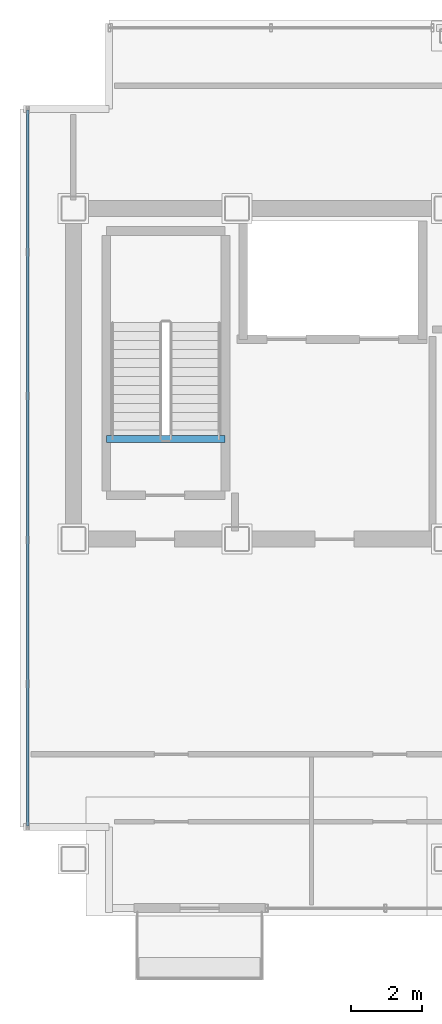
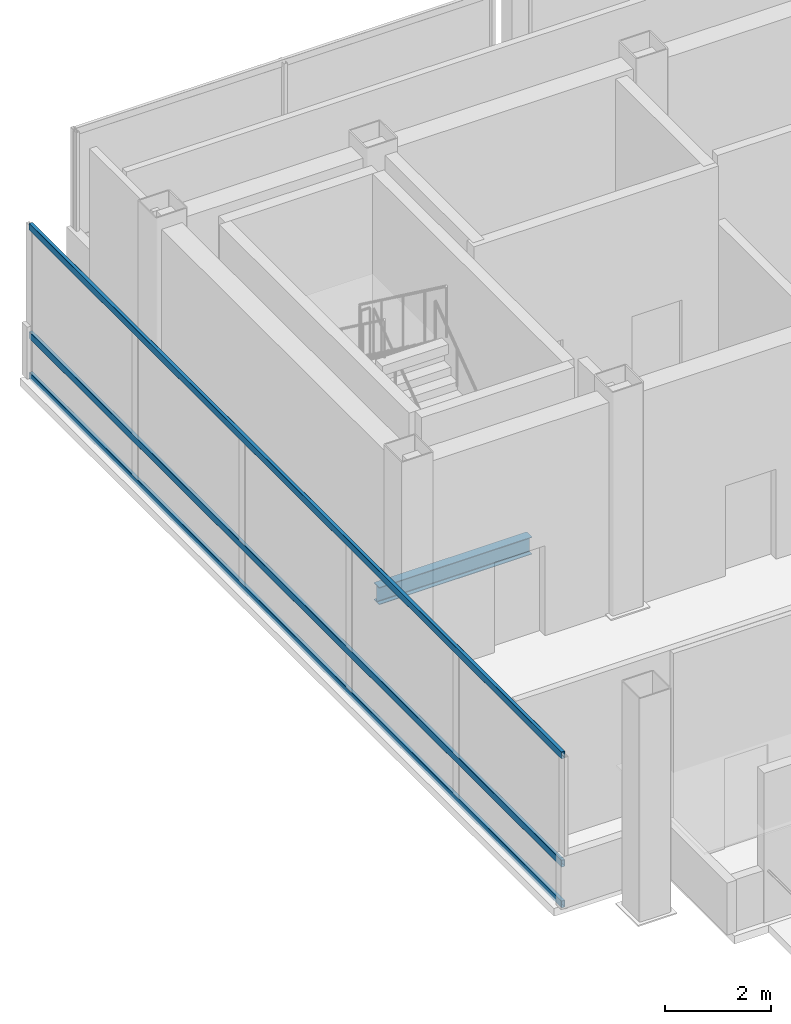
# One storey, part 5 of 17: 3 members, 1 beam, 1 element without a shape of its own.
"""IFC4 building model written with IfcOpenShell, lengths in metres."""

from ifc_helpers import new_model, si_unit, direction, frame, origin, origin_2d, place, context, subcontext, project, spatial, hollow_rectangle, i_section, extrude, material, material_profile, profile_set, type_object, element, aggregate, save


model = new_model("IFC4")

# Units and contexts
model_context = context("Model", 3, precision=1e-05, world=origin(), true_north=direction((0.0, 1.0)))
body_context = subcontext(model_context, "Body", "Model", "MODEL_VIEW")
ifc_project = project(units=[si_unit("LENGTHUNIT", "METRE"), si_unit("AREAUNIT", "SQUARE_METRE"), si_unit("VOLUMEUNIT", "CUBIC_METRE"), si_unit("PLANEANGLEUNIT", "RADIAN"), si_unit("MASSUNIT", "GRAM", prefix="KILO")], contexts=[model_context])

# Site, building, storey
site_placement = place(None, origin())
site = spatial("IfcSite", under=ifc_project, at=site_placement, CompositionType="ELEMENT")
building_placement = place(site_placement, origin())
building = spatial("IfcBuilding", under=site, at=building_placement, Name="Noeulbin Bourse Tower", CompositionType="ELEMENT")
storey_placement = place(building_placement, frame((0.0, 0.0, 300.800048828125)))
storey = spatial("IfcBuildingStorey", under=building, at=storey_placement, Name="L75", CompositionType="ELEMENT", Elevation=300.800048828125)

# Beam
ifc_material_1 = material(Name="Steel S355", Category="steel")
ifc_material_profile_1 = material_profile(ifc_material_1, i_section(OverallWidth=0.199951171875, OverallDepth=0.39990234375, WebThickness=0.008056640625, FlangeThickness=0.012939453125, FilletRadius=0.01611328125, at=origin_2d()), Name="H-400x200x8x13", Category="LoadBearing")
ifc_profile_set_1 = profile_set([ifc_material_profile_1], Name="Steel S355")
beam_type = type_object("IfcBeamType", Name="BM-SEC-400", PredefinedType="BEAM", material=ifc_profile_set_1)
beam_placement = place(storey_placement, frame((14.429931640625, 31.820068359375, -0.199951171875), z_axis=(1.0, 0.0, 0.0), x_axis=(0.0, 1.0, 0.0)))
element("IfcBeam", 1, at=beam_placement, inside=storey, type_object=beam_type, Name="Stair Threshold Trimmer Beam ST1-L75", PredefinedType="BEAM", context=body_context, shape_type="SweptSolid", body=[
    extrude(i_section(OverallWidth=0.199951171875, OverallDepth=0.39990234375, WebThickness=0.008056640625, FlangeThickness=0.012939453125, FilletRadius=0.01611328125, at=origin_2d()), origin(), (0.0, 0.0, 1.0), 3.340087890625),
])

# Curtain wall, members
ifc_material_2 = material(Name="High-Selectivity Low-Iron Glazing", Category="glass")
curtain_wall_type = type_object("IfcCurtainWallType", Name="CW-SYS-4", PredefinedType="NOTDEFINED", material=ifc_material_2)
curtain_wall_placement = place(storey_placement, origin())
curtain_wall = element("IfcCurtainWall", 2, at=curtain_wall_placement, inside=storey, type_object=curtain_wall_type, Name="Unitised Curtain Wall CW-L75-W", PredefinedType="NOTDEFINED")
ifc_material_3 = material(Name="Anodised Aluminium 6063-T6", Category="aluminium")
ifc_material_profile_2 = material_profile(ifc_material_3, hollow_rectangle(XDim=0.074951171875, YDim=0.159912109375, WallThickness=0.0048828125, InnerFilletRadius=0.00244140625, OuterFilletRadius=0.0048828125, at=origin_2d()), Name="ALU-TRAN-75x160x5", Category="LoadBearing")
ifc_profile_set_2 = profile_set([ifc_material_profile_2], Name="Anodised Aluminium 6063-T6")
member_type = type_object("IfcMemberType", Name="CW-SYS-4-TRN", PredefinedType="USERDEFINED", material=ifc_profile_set_2)
member_1_placement = place(storey_placement, frame((12.219970703125, 20.929931640625, 0.010009765625), z_axis=(0.0, 1.0, 0.0), x_axis=(-1.0, 0.0, 0.0)))
member_1 = element("IfcMember", 3, at=member_1_placement, type_object=member_type, Name="Curtain Wall Transom CW-L75-W-T00", ObjectType="TRANSOM", PredefinedType="USERDEFINED", context=body_context, shape_type="SweptSolid", body=[
    extrude(hollow_rectangle(XDim=0.074951171875, YDim=0.159912109375, WallThickness=0.0048828125, InnerFilletRadius=0.00244140625, OuterFilletRadius=0.0048828125, at=origin_2d()), origin(), (0.0, 0.0, 1.0), 20.14013671875),
])
member_2_placement = place(storey_placement, frame((12.219970703125, 20.929931640625, 0.949951171875), z_axis=(0.0, 1.0, 0.0), x_axis=(-1.0, 0.0, 0.0)))
member_2 = element("IfcMember", 4, at=member_2_placement, type_object=member_type, Name="Curtain Wall Transom CW-L75-W-T01", ObjectType="TRANSOM", PredefinedType="USERDEFINED", context=body_context, shape_type="SweptSolid", body=[
    extrude(hollow_rectangle(XDim=0.074951171875, YDim=0.159912109375, WallThickness=0.0048828125, InnerFilletRadius=0.00244140625, OuterFilletRadius=0.0048828125, at=origin_2d()), origin(), (0.0, 0.0, 1.0), 20.14013671875),
])
member_3_placement = place(storey_placement, frame((12.219970703125, 20.929931640625, 3.449951171875), z_axis=(0.0, 1.0, 0.0), x_axis=(-1.0, 0.0, 0.0)))
member_3 = element("IfcMember", 5, at=member_3_placement, type_object=member_type, Name="Curtain Wall Transom CW-L75-W-T02", ObjectType="TRANSOM", PredefinedType="USERDEFINED", context=body_context, shape_type="SweptSolid", body=[
    extrude(hollow_rectangle(XDim=0.074951171875, YDim=0.159912109375, WallThickness=0.0048828125, InnerFilletRadius=0.00244140625, OuterFilletRadius=0.0048828125, at=origin_2d()), origin(), (0.0, 0.0, 1.0), 20.14013671875),
])
aggregate(curtain_wall, [member_1, member_2, member_3])

save(model, "model.ifc")
